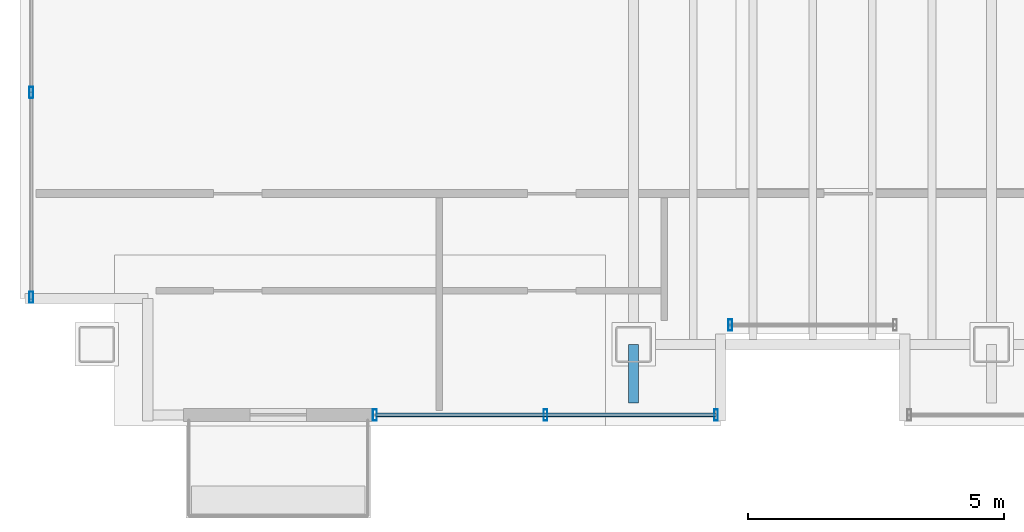
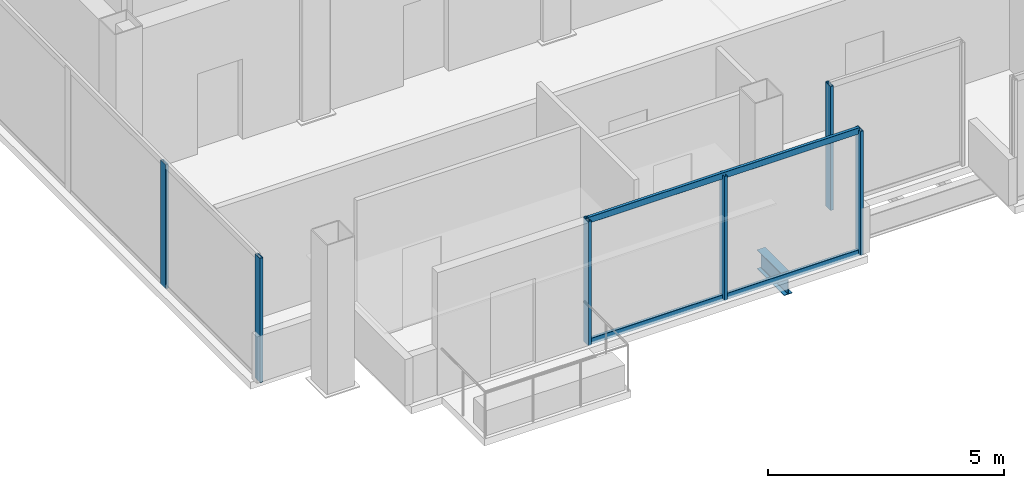
# One storey, part 2 of 17: 8 members, 1 beam, 3 elements without a shape of their own.
"""IFC4 building model written with IfcOpenShell, lengths in metres."""

from ifc_helpers import new_model, si_unit, direction, frame, origin, origin_2d, place, context, subcontext, project, spatial, hollow_rectangle, i_section, extrude, material, material_profile, profile_set, type_object, element, aggregate, save


model = new_model("IFC4")

# Units and contexts
model_context = context("Model", 3, precision=1e-05, world=origin(), true_north=direction((0.0, 1.0)))
body_context = subcontext(model_context, "Body", "Model", "MODEL_VIEW")
ifc_project = project(units=[si_unit("LENGTHUNIT", "METRE"), si_unit("AREAUNIT", "SQUARE_METRE"), si_unit("VOLUMEUNIT", "CUBIC_METRE"), si_unit("PLANEANGLEUNIT", "RADIAN"), si_unit("MASSUNIT", "GRAM", prefix="KILO")], contexts=[model_context])

# Site, building, storey
site_placement = place(None, origin())
site = spatial("IfcSite", under=ifc_project, at=site_placement, CompositionType="ELEMENT")
building_placement = place(site_placement, origin())
building = spatial("IfcBuilding", under=site, at=building_placement, Name="Noeulbin Bourse Tower", CompositionType="ELEMENT")
storey_placement = place(building_placement, frame((0.0, 0.0, 296.89990234375)))
storey = spatial("IfcBuildingStorey", under=building, at=storey_placement, Name="L74", CompositionType="ELEMENT", Elevation=296.89990234375)

# Beam
ifc_material_1 = material(Name="Steel S355", Category="steel")
ifc_material_profile_1 = material_profile(ifc_material_1, i_section(OverallWidth=0.199951171875, OverallDepth=0.5, WebThickness=0.010009765625, FlangeThickness=0.01611328125, FilletRadius=0.02001953125, at=origin_2d()), Name="H-500x200x10x16", Category="LoadBearing")
ifc_profile_set_1 = profile_set([ifc_material_profile_1], Name="Steel S355")
beam_type = type_object("IfcBeamType", Name="BM-GRD-500", PredefinedType="USERDEFINED", material=ifc_profile_set_1)
beam_placement = place(storey_placement, frame((24.0, 18.85009765625, -0.429931640625), z_axis=(0.0, 1.0, 0.0), x_axis=(-1.0, 0.0, 0.0)))
element("IfcBeam", 1, at=beam_placement, inside=storey, type_object=beam_type, Name="Tower Primary Girder NS L74-2.1", ObjectType="GIRDER", PredefinedType="USERDEFINED", context=body_context, shape_type="SweptSolid", body=[
    extrude(i_section(OverallWidth=0.199951171875, OverallDepth=0.5, WebThickness=0.010009765625, FlangeThickness=0.01611328125, FilletRadius=0.02001953125, at=origin_2d()), origin(), (0.0, 0.0, 1.0), 1.14990234375),
])

# Curtain wall, member
ifc_material_2 = material(Name="High-Selectivity Low-Iron Glazing", Category="glass")
curtain_wall_type = type_object("IfcCurtainWallType", Name="CW-SYS-4", PredefinedType="NOTDEFINED", material=ifc_material_2)
curtain_wall_1_placement = place(storey_placement, origin())
curtain_wall_1 = element("IfcCurtainWall", 2, at=curtain_wall_1_placement, inside=storey, type_object=curtain_wall_type, Name="Unitised Curtain Wall CW-L74-SREC", PredefinedType="NOTDEFINED")
ifc_material_3 = material(Name="Anodised Aluminium 6063-T6", Category="aluminium")
ifc_material_profile_2 = material_profile(ifc_material_3, hollow_rectangle(XDim=0.074951171875, YDim=0.219970703125, WallThickness=0.0048828125, InnerFilletRadius=0.00244140625, OuterFilletRadius=0.0048828125, at=origin_2d()), Name="ALU-MULL-75x220x5", Category="LoadBearing")
ifc_profile_set_2 = profile_set([ifc_material_profile_2], Name="Anodised Aluminium 6063-T6")
member_type_1 = type_object("IfcMemberType", Name="CW-SYS-4-MUL", PredefinedType="MULLION", material=ifc_profile_set_2)
member_1_placement = place(storey_placement, frame((25.889892578125, 20.3798828125, -0.02001953125), z_axis=(0.0, 0.0, 1.0), x_axis=(1.0, 0.0, 0.0)))
member_1 = element("IfcMember", 3, at=member_1_placement, type_object=member_type_1, Name="Curtain Wall Mullion CW-L74-SREC-M00", PredefinedType="MULLION", context=body_context, shape_type="SweptSolid", body=[
    extrude(hollow_rectangle(XDim=0.074951171875, YDim=0.219970703125, WallThickness=0.0048828125, InnerFilletRadius=0.00244140625, OuterFilletRadius=0.0048828125, at=origin_2d()), origin(), (0.0, 0.0, 1.0), 3.22021484375),
])
aggregate(curtain_wall_1, [member_1])

# Curtain wall, members
curtain_wall_2_placement = place(storey_placement, origin())
curtain_wall_2 = element("IfcCurtainWall", 4, at=curtain_wall_2_placement, inside=storey, type_object=curtain_wall_type, Name="Unitised Curtain Wall CW-L74-S1", PredefinedType="NOTDEFINED")
member_2_placement = place(storey_placement, frame((18.93994140625, 18.6201171875, -0.02001953125), z_axis=(0.0, 0.0, 1.0), x_axis=(1.0, 0.0, 0.0)))
member_2 = element("IfcMember", 5, at=member_2_placement, type_object=member_type_1, Name="Curtain Wall Mullion CW-L74-S1-M00", PredefinedType="MULLION", context=body_context, shape_type="SweptSolid", body=[
    extrude(hollow_rectangle(XDim=0.074951171875, YDim=0.219970703125, WallThickness=0.0048828125, InnerFilletRadius=0.00244140625, OuterFilletRadius=0.0048828125, at=origin_2d()), origin(), (0.0, 0.0, 1.0), 3.22021484375),
])
member_3_placement = place(storey_placement, frame((22.27490234375, 18.6201171875, -0.02001953125), z_axis=(0.0, 0.0, 1.0), x_axis=(1.0, 0.0, 0.0)))
member_3 = element("IfcMember", 6, at=member_3_placement, type_object=member_type_1, Name="Curtain Wall Mullion CW-L74-S1-M01", PredefinedType="MULLION", context=body_context, shape_type="SweptSolid", body=[
    extrude(hollow_rectangle(XDim=0.074951171875, YDim=0.219970703125, WallThickness=0.0048828125, InnerFilletRadius=0.00244140625, OuterFilletRadius=0.0048828125, at=origin_2d()), origin(), (0.0, 0.0, 1.0), 3.22021484375),
])
member_4_placement = place(storey_placement, frame((25.610107421875, 18.6201171875, -0.02001953125), z_axis=(0.0, 0.0, 1.0), x_axis=(1.0, 0.0, 0.0)))
member_4 = element("IfcMember", 7, at=member_4_placement, type_object=member_type_1, Name="Curtain Wall Mullion CW-L74-S1-M02", PredefinedType="MULLION", context=body_context, shape_type="SweptSolid", body=[
    extrude(hollow_rectangle(XDim=0.074951171875, YDim=0.219970703125, WallThickness=0.0048828125, InnerFilletRadius=0.00244140625, OuterFilletRadius=0.0048828125, at=origin_2d()), origin(), (0.0, 0.0, 1.0), 3.22021484375),
])

curtain_wall_3_placement = place(storey_placement, origin())
curtain_wall_3 = element("IfcCurtainWall", 8, at=curtain_wall_3_placement, inside=storey, type_object=curtain_wall_type, Name="Unitised Curtain Wall CW-L74-W", PredefinedType="NOTDEFINED")
member_5_placement = place(storey_placement, frame((12.219970703125, 20.919921875, -0.02001953125), z_axis=(0.0, 0.0, 1.0), x_axis=(1.0, 0.0, 0.0)))
member_5 = element("IfcMember", 9, at=member_5_placement, type_object=member_type_1, Name="Curtain Wall Mullion CW-L74-W-M00", PredefinedType="MULLION", context=body_context, shape_type="SweptSolid", body=[
    extrude(hollow_rectangle(XDim=0.074951171875, YDim=0.219970703125, WallThickness=0.0048828125, InnerFilletRadius=0.00244140625, OuterFilletRadius=0.0048828125, at=origin_2d()), origin(), (0.0, 0.0, 1.0), 3.22021484375),
])
member_6_placement = place(storey_placement, frame((12.219970703125, 24.927978515625, -0.02001953125), z_axis=(0.0, 0.0, 1.0), x_axis=(1.0, 0.0, 0.0)))
member_6 = element("IfcMember", 10, at=member_6_placement, type_object=member_type_1, Name="Curtain Wall Mullion CW-L74-W-M01", PredefinedType="MULLION", context=body_context, shape_type="SweptSolid", body=[
    extrude(hollow_rectangle(XDim=0.074951171875, YDim=0.219970703125, WallThickness=0.0048828125, InnerFilletRadius=0.00244140625, OuterFilletRadius=0.0048828125, at=origin_2d()), origin(), (0.0, 0.0, 1.0), 3.22021484375),
])
aggregate(curtain_wall_3, [member_5, member_6])

# Member
ifc_material_profile_3 = material_profile(ifc_material_3, hollow_rectangle(XDim=0.074951171875, YDim=0.159912109375, WallThickness=0.0048828125, InnerFilletRadius=0.00244140625, OuterFilletRadius=0.0048828125, at=origin_2d()), Name="ALU-TRAN-75x160x5", Category="LoadBearing")
ifc_profile_set_3 = profile_set([ifc_material_profile_3], Name="Anodised Aluminium 6063-T6")
member_type_2 = type_object("IfcMemberType", Name="CW-SYS-4-TRN", PredefinedType="USERDEFINED", material=ifc_profile_set_3)
member_7_placement = place(storey_placement, frame((18.949951171875, 18.6201171875, 0.010009765625), z_axis=(1.0, 0.0, 0.0), x_axis=(0.0, 1.0, 0.0)))
member_7 = element("IfcMember", 11, at=member_7_placement, type_object=member_type_2, Name="Curtain Wall Transom CW-L74-S1-T00", ObjectType="TRANSOM", PredefinedType="USERDEFINED", context=body_context, shape_type="SweptSolid", body=[
    extrude(hollow_rectangle(XDim=0.074951171875, YDim=0.159912109375, WallThickness=0.0048828125, InnerFilletRadius=0.00244140625, OuterFilletRadius=0.0048828125, at=origin_2d()), origin(), (0.0, 0.0, 1.0), 6.650146484375),
])

member_8_placement = place(storey_placement, frame((18.949951171875, 18.6201171875, 3.170166015625), z_axis=(1.0, 0.0, 0.0), x_axis=(0.0, 1.0, 0.0)))
member_8 = element("IfcMember", 12, at=member_8_placement, type_object=member_type_2, Name="Curtain Wall Transom CW-L74-S1-T01", ObjectType="TRANSOM", PredefinedType="USERDEFINED", context=body_context, shape_type="SweptSolid", body=[
    extrude(hollow_rectangle(XDim=0.074951171875, YDim=0.159912109375, WallThickness=0.0048828125, InnerFilletRadius=0.00244140625, OuterFilletRadius=0.0048828125, at=origin_2d()), origin(), (0.0, 0.0, 1.0), 6.650146484375),
])

aggregate(curtain_wall_2, [member_2, member_3, member_4, member_7, member_8])

save(model, "model.ifc")
